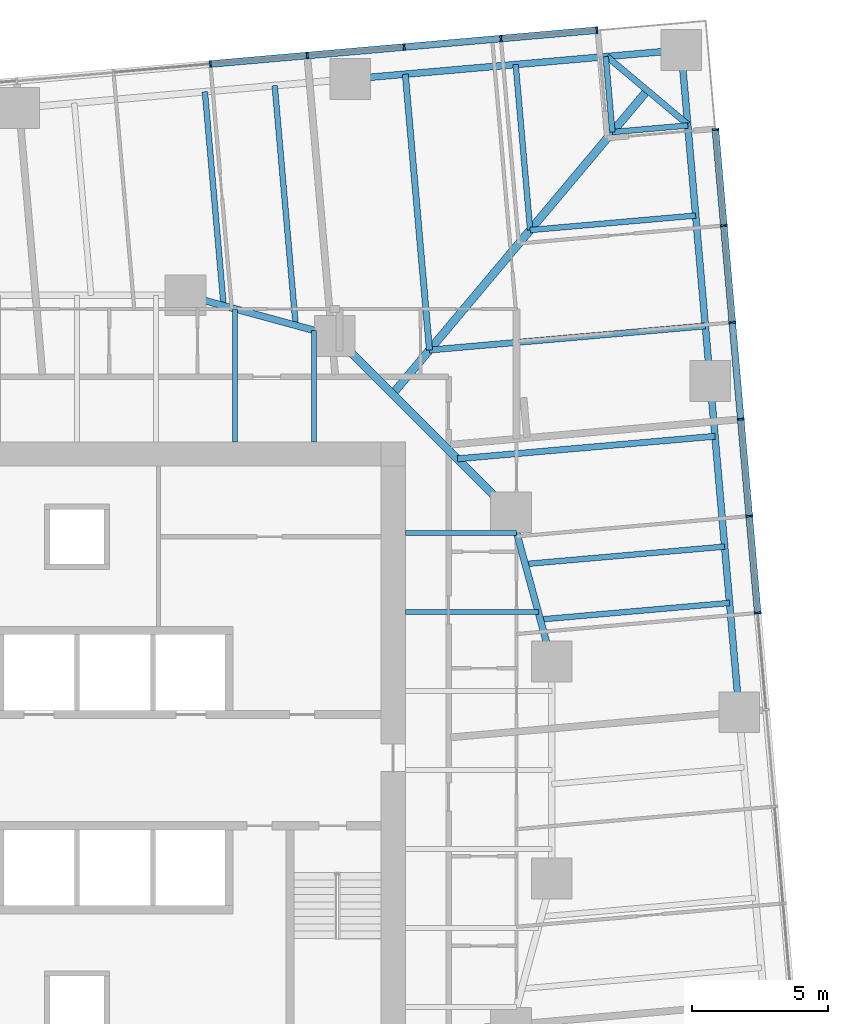
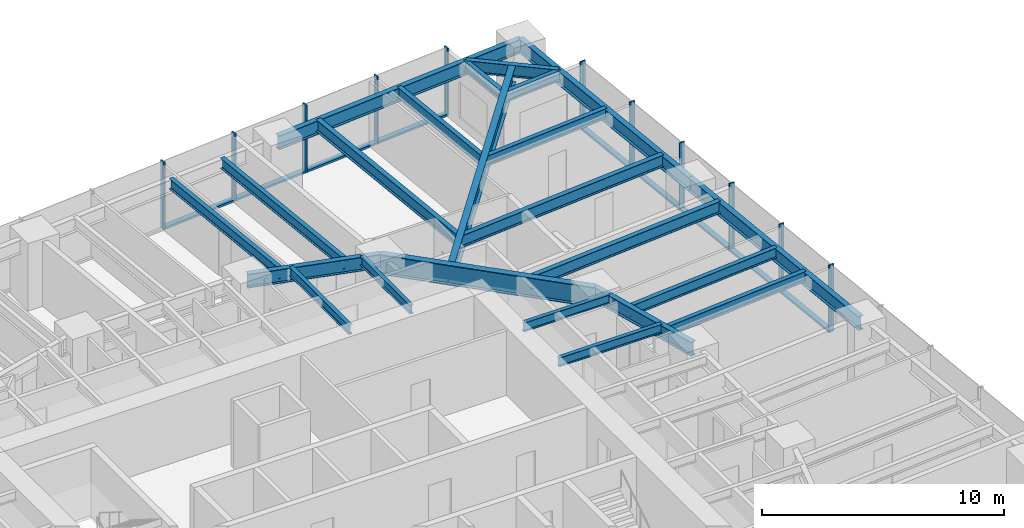
# One storey, part 6 of 14: 23 beams, 20 members, 2 elements without a shape of their own.
"""IFC4 building model written with IfcOpenShell, lengths in metres."""

from ifc_helpers import new_model, si_unit, direction, frame, origin, origin_2d, place, context, subcontext, project, spatial, rectangle, i_section, extrude, material, material_profile, profile_set, type_object, element, aggregate, save


model = new_model("IFC4")

# Units and contexts
model_context = context("Model", 3, precision=1e-05, world=origin(), true_north=direction((0.0, 1.0)))
body_context = subcontext(model_context, "Body", "Model", "MODEL_VIEW")
ifc_project = project(units=[si_unit("LENGTHUNIT", "METRE"), si_unit("AREAUNIT", "SQUARE_METRE"), si_unit("VOLUMEUNIT", "CUBIC_METRE"), si_unit("PLANEANGLEUNIT", "RADIAN"), si_unit("MASSUNIT", "GRAM", prefix="KILO")], contexts=[model_context])

# Site, building, storey
site_placement = place(None, origin())
site = spatial("IfcSite", under=ifc_project, at=site_placement, CompositionType="ELEMENT")
building_placement = place(site_placement, origin())
building = spatial("IfcBuilding", under=site, at=building_placement, Name="Torsade Residences", CompositionType="ELEMENT")
storey_placement = place(building_placement, frame((0.0, 0.0, 60.800048828125)))
storey = spatial("IfcBuildingStorey", under=building, at=storey_placement, Name="L16", CompositionType="ELEMENT", Elevation=60.800048828125)

# Beams
ifc_material_1 = material(Name="Steel grade 300", Category="steel")
ifc_material_profile_1 = material_profile(ifc_material_1, i_section(OverallWidth=0.300048828125, OverallDepth=0.89990234375, WebThickness=0.011962890625, FlangeThickness=0.02490234375, at=origin_2d()), Name="900WB175")
ifc_profile_set_1 = profile_set([ifc_material_profile_1], Name="Steel grade 300")
beam_type_1 = type_object("IfcBeamType", Name="CORNER GIRDER 900WB175", PredefinedType="BEAM", material=ifc_profile_set_1)
beam_1_placement = place(storey_placement, frame((61.021484375, 55.052490234375, 2.800048828125), z_axis=(-0.642785419012, -0.766046281307, 0.0), x_axis=(0.766046281307, -0.642785419012, 0.0)))
element("IfcBeam", 1, at=beam_1_placement, inside=storey, type_object=beam_type_1, Name="Corner girder 09 L17", PredefinedType="BEAM", context=body_context, shape_type="SweptSolid", body=[
    extrude(i_section(OverallWidth=0.300048828125, OverallDepth=0.89990234375, WebThickness=0.011962890625, FlangeThickness=0.02490234375, at=origin_2d()), origin(), (0.0, 0.0, 1.0), 14.603515625),
])
ifc_material_2 = material(Name="Steel grade 300", Category="steel")
ifc_material_profile_2 = material_profile(ifc_material_2, i_section(OverallWidth=0.22802734375, OverallDepth=0.60205078125, WebThickness=0.010498046875, FlangeThickness=0.014892578125, FilletRadius=0.013916015625, at=origin_2d()), Name="610UB101")
ifc_profile_set_2 = profile_set([ifc_material_profile_2], Name="Steel grade 300")
beam_type_2 = type_object("IfcBeamType", Name="CORNER TRIMMER 610UB101", PredefinedType="BEAM", material=ifc_profile_set_2)
beam_2_placement = place(storey_placement, frame((59.531982421875, 56.302490234375, 2.948974609375), z_axis=(0.766030001697, -0.642804819911, 0.0), x_axis=(0.642804819911, 0.766030001697, 0.0)))
element("IfcBeam", 2, at=beam_2_placement, inside=storey, type_object=beam_type_2, Name="Corner trimmer 09 L17", PredefinedType="BEAM", context=body_context, shape_type="SweptSolid", body=[
    extrude(i_section(OverallWidth=0.22802734375, OverallDepth=0.60205078125, WebThickness=0.010498046875, FlangeThickness=0.014892578125, FilletRadius=0.013916015625, at=origin_2d()), origin(), (0.0, 0.0, 1.0), 3.88916015625),
])

# Curtain wall, members
ifc_material_3 = material(Name="Aluminium and glass", Category="aluminium")
curtain_wall_type = type_object("IfcCurtainWallType", Name="FRITTED GLASS CURTAIN WALL LOW ZONE", PredefinedType="NOTDEFINED", material=ifc_material_3)
curtain_wall_1_placement = place(storey_placement, origin())
curtain_wall_1 = element("IfcCurtainWall", 3, at=curtain_wall_1_placement, inside=storey, type_object=curtain_wall_type, Name="Curtain wall L16 face 4", PredefinedType="NOTDEFINED")
ifc_material_4 = material(Name="Aluminium mullion", Category="aluminium")
ifc_material_profile_3 = material_profile(ifc_material_4, rectangle(XDim=0.25, YDim=0.06494140625, at=origin_2d()), Name="CURTAIN WALL MULLION 250x65")
ifc_profile_set_3 = profile_set([ifc_material_profile_3], Name="Aluminium mullion")
member_type_1 = type_object("IfcMemberType", Name="CURTAIN WALL MULLION 250x65", PredefinedType="MULLION", material=ifc_profile_set_3)
member_1_placement = place(storey_placement, frame((65.090576171875, 35.792236328125, 0.0), z_axis=(0.0, 0.0, 1.0), x_axis=(-0.996194697964, -0.087155744208, 0.0)))
member_1 = element("IfcMember", 4, at=member_1_placement, type_object=member_type_1, Name="Mullion 8", PredefinedType="MULLION", context=body_context, shape_type="SweptSolid", body=[
    extrude(rectangle(XDim=0.25, YDim=0.06494140625, at=origin_2d()), origin(), (0.0, 0.0, 1.0), 3.39990234375),
])
member_2_placement = place(storey_placement, frame((64.7783203125, 39.36181640625, 0.0), z_axis=(0.0, 0.0, 1.0), x_axis=(-0.996194697964, -0.087155744208, 0.0)))
member_2 = element("IfcMember", 5, at=member_2_placement, type_object=member_type_1, Name="Mullion 9", PredefinedType="MULLION", context=body_context, shape_type="SweptSolid", body=[
    extrude(rectangle(XDim=0.25, YDim=0.06494140625, at=origin_2d()), origin(), (0.0, 0.0, 1.0), 3.39990234375),
])
member_3_placement = place(storey_placement, frame((64.466064453125, 42.931640625, 0.0), z_axis=(0.0, 0.0, 1.0), x_axis=(-0.996194697964, -0.087155744208, 0.0)))
member_3 = element("IfcMember", 6, at=member_3_placement, type_object=member_type_1, Name="Mullion 10", PredefinedType="MULLION", context=body_context, shape_type="SweptSolid", body=[
    extrude(rectangle(XDim=0.25, YDim=0.06494140625, at=origin_2d()), origin(), (0.0, 0.0, 1.0), 3.39990234375),
])
member_4_placement = place(storey_placement, frame((64.15380859375, 46.501220703125, 0.0), z_axis=(0.0, 0.0, 1.0), x_axis=(-0.996194697964, -0.087155744208, 0.0)))
member_4 = element("IfcMember", 7, at=member_4_placement, type_object=member_type_1, Name="Mullion 11", PredefinedType="MULLION", context=body_context, shape_type="SweptSolid", body=[
    extrude(rectangle(XDim=0.25, YDim=0.06494140625, at=origin_2d()), origin(), (0.0, 0.0, 1.0), 3.39990234375),
])
member_5_placement = place(storey_placement, frame((63.84130859375, 50.071044921875, 0.0), z_axis=(0.0, 0.0, 1.0), x_axis=(-0.996194697964, -0.087155744208, 0.0)))
member_5 = element("IfcMember", 8, at=member_5_placement, type_object=member_type_1, Name="Mullion 12", PredefinedType="MULLION", context=body_context, shape_type="SweptSolid", body=[
    extrude(rectangle(XDim=0.25, YDim=0.06494140625, at=origin_2d()), origin(), (0.0, 0.0, 1.0), 3.39990234375),
])
member_6_placement = place(storey_placement, frame((63.531982421875, 53.6083984375, 0.0), z_axis=(0.0, 0.0, 1.0), x_axis=(-0.996194697964, -0.087155744208, 0.0)))
member_6 = element("IfcMember", 9, at=member_6_placement, type_object=member_type_1, Name="Mullion 13", PredefinedType="MULLION", context=body_context, shape_type="SweptSolid", body=[
    extrude(rectangle(XDim=0.25, YDim=0.06494140625, at=origin_2d()), origin(), (0.0, 0.0, 1.0), 3.39990234375),
])

curtain_wall_2_placement = place(storey_placement, origin())
curtain_wall_2 = element("IfcCurtainWall", 10, at=curtain_wall_2_placement, inside=storey, type_object=curtain_wall_type, Name="Curtain wall L16 face 7", PredefinedType="NOTDEFINED")
member_7_placement = place(storey_placement, frame((59.163330078125, 57.27392578125, 0.0), z_axis=(0.0, 0.0, 1.0), x_axis=(0.087155744208, -0.996194697964, 0.0)))
member_7 = element("IfcMember", 11, at=member_7_placement, type_object=member_type_1, Name="Mullion 1", PredefinedType="MULLION", context=body_context, shape_type="SweptSolid", body=[
    extrude(rectangle(XDim=0.25, YDim=0.06494140625, at=origin_2d()), origin(), (0.0, 0.0, 1.0), 3.39990234375),
])
member_8_placement = place(storey_placement, frame((55.6259765625, 56.964599609375, 0.0), z_axis=(0.0, 0.0, 1.0), x_axis=(0.087155744208, -0.996194697964, 0.0)))
member_8 = element("IfcMember", 12, at=member_8_placement, type_object=member_type_1, Name="Mullion 2", PredefinedType="MULLION", context=body_context, shape_type="SweptSolid", body=[
    extrude(rectangle(XDim=0.25, YDim=0.06494140625, at=origin_2d()), origin(), (0.0, 0.0, 1.0), 3.39990234375),
])
member_9_placement = place(storey_placement, frame((52.056396484375, 56.652099609375, 0.0), z_axis=(0.0, 0.0, 1.0), x_axis=(0.087155744208, -0.996194697964, 0.0)))
member_9 = element("IfcMember", 13, at=member_9_placement, type_object=member_type_1, Name="Mullion 3", PredefinedType="MULLION", context=body_context, shape_type="SweptSolid", body=[
    extrude(rectangle(XDim=0.25, YDim=0.06494140625, at=origin_2d()), origin(), (0.0, 0.0, 1.0), 3.39990234375),
])
member_10_placement = place(storey_placement, frame((48.486572265625, 56.33984375, 0.0), z_axis=(0.0, 0.0, 1.0), x_axis=(0.087155744208, -0.996194697964, 0.0)))
member_10 = element("IfcMember", 14, at=member_10_placement, type_object=member_type_1, Name="Mullion 4", PredefinedType="MULLION", context=body_context, shape_type="SweptSolid", body=[
    extrude(rectangle(XDim=0.25, YDim=0.06494140625, at=origin_2d()), origin(), (0.0, 0.0, 1.0), 3.39990234375),
])
member_11_placement = place(storey_placement, frame((44.9169921875, 56.027587890625, 0.0), z_axis=(0.0, 0.0, 1.0), x_axis=(0.087155744208, -0.996194697964, 0.0)))
member_11 = element("IfcMember", 15, at=member_11_placement, type_object=member_type_1, Name="Mullion 5", PredefinedType="MULLION", context=body_context, shape_type="SweptSolid", body=[
    extrude(rectangle(XDim=0.25, YDim=0.06494140625, at=origin_2d()), origin(), (0.0, 0.0, 1.0), 3.39990234375),
])

# Member
ifc_material_5 = material(Name="Aluminium transom", Category="aluminium")
ifc_material_profile_4 = material_profile(ifc_material_5, rectangle(XDim=0.25, YDim=0.10009765625, at=origin_2d()), Name="CURTAIN WALL TRANSOM 250x100")
ifc_profile_set_4 = profile_set([ifc_material_profile_4], Name="Aluminium transom")
member_type_2 = type_object("IfcMemberType", Name="CURTAIN WALL TRANSOM 250x100", PredefinedType="USERDEFINED", material=ifc_profile_set_4)
member_12_placement = place(storey_placement, frame((65.087890625, 35.824462890625, 0.050048828125), z_axis=(-0.08715059597, 0.996195148363, 0.0), x_axis=(-0.996195148363, -0.08715059597, 0.0)))
member_12 = element("IfcMember", 16, at=member_12_placement, type_object=member_type_2, Name="Transom 8.1", ObjectType="TRANSOM", PredefinedType="USERDEFINED", context=body_context, shape_type="SweptSolid", body=[
    extrude(rectangle(XDim=0.25, YDim=0.10009765625, at=origin_2d()), origin(), (0.0, 0.0, 1.0), 3.5185546875),
])

member_13_placement = place(storey_placement, frame((64.775634765625, 39.394287109375, 0.050048828125), z_axis=(-0.087156620531, 0.996194621295, 0.0), x_axis=(-0.996194621295, -0.087156620531, 0.0)))
member_13 = element("IfcMember", 17, at=member_13_placement, type_object=member_type_2, Name="Transom 9.1", ObjectType="TRANSOM", PredefinedType="USERDEFINED", context=body_context, shape_type="SweptSolid", body=[
    extrude(rectangle(XDim=0.25, YDim=0.10009765625, at=origin_2d()), origin(), (0.0, 0.0, 1.0), 3.518310546875),
])

member_14_placement = place(storey_placement, frame((64.463134765625, 42.9638671875, 0.050048828125), z_axis=(-0.08715059597, 0.996195148363, 0.0), x_axis=(-0.996195148363, -0.08715059597, 0.0)))
member_14 = element("IfcMember", 18, at=member_14_placement, type_object=member_type_2, Name="Transom 10.1", ObjectType="TRANSOM", PredefinedType="USERDEFINED", context=body_context, shape_type="SweptSolid", body=[
    extrude(rectangle(XDim=0.25, YDim=0.10009765625, at=origin_2d()), origin(), (0.0, 0.0, 1.0), 3.5185546875),
])

member_15_placement = place(storey_placement, frame((64.15087890625, 46.53369140625, 0.050048828125), z_axis=(-0.087156620531, 0.996194621295, 0.0), x_axis=(-0.996194621295, -0.087156620531, 0.0)))
member_15 = element("IfcMember", 19, at=member_15_placement, type_object=member_type_2, Name="Transom 11.1", ObjectType="TRANSOM", PredefinedType="USERDEFINED", context=body_context, shape_type="SweptSolid", body=[
    extrude(rectangle(XDim=0.25, YDim=0.10009765625, at=origin_2d()), origin(), (0.0, 0.0, 1.0), 3.518310546875),
])

member_16_placement = place(storey_placement, frame((63.838623046875, 50.103271484375, 0.050048828125), z_axis=(-0.08719475177, 0.996191284475, 0.0), x_axis=(-0.996191284475, -0.08719475177, 0.0)))
member_16 = element("IfcMember", 20, at=member_16_placement, type_object=member_type_2, Name="Transom 12.1", ObjectType="TRANSOM", PredefinedType="USERDEFINED", context=body_context, shape_type="SweptSolid", body=[
    extrude(rectangle(XDim=0.25, YDim=0.10009765625, at=origin_2d()), origin(), (0.0, 0.0, 1.0), 3.48583984375),
])

aggregate(curtain_wall_1, [member_1, member_2, member_3, member_4, member_5, member_6, member_12, member_13, member_14, member_15, member_16])

member_17_placement = place(storey_placement, frame((59.130859375, 57.271240234375, 0.050048828125), z_axis=(-0.996190751941, -0.0872008357, 0.0), x_axis=(0.0872008357, -0.996190751941, 0.0)))
member_17 = element("IfcMember", 21, at=member_17_placement, type_object=member_type_2, Name="Transom 1.1", ObjectType="TRANSOM", PredefinedType="USERDEFINED", context=body_context, shape_type="SweptSolid", body=[
    extrude(rectangle(XDim=0.25, YDim=0.10009765625, at=origin_2d()), origin(), (0.0, 0.0, 1.0), 3.485595703125),
])

member_18_placement = place(storey_placement, frame((55.59375, 56.961669921875, 0.050048828125), z_axis=(-0.996195148363, -0.08715059597, 0.0), x_axis=(0.08715059597, -0.996195148363, 0.0)))
member_18 = element("IfcMember", 22, at=member_18_placement, type_object=member_type_2, Name="Transom 2.1", ObjectType="TRANSOM", PredefinedType="USERDEFINED", context=body_context, shape_type="SweptSolid", body=[
    extrude(rectangle(XDim=0.25, YDim=0.10009765625, at=origin_2d()), origin(), (0.0, 0.0, 1.0), 3.5185546875),
])

member_19_placement = place(storey_placement, frame((52.02392578125, 56.6494140625, 0.050048828125), z_axis=(-0.996194621295, -0.087156620531, 0.0), x_axis=(0.087156620531, -0.996194621295, 0.0)))
member_19 = element("IfcMember", 23, at=member_19_placement, type_object=member_type_2, Name="Transom 3.1", ObjectType="TRANSOM", PredefinedType="USERDEFINED", context=body_context, shape_type="SweptSolid", body=[
    extrude(rectangle(XDim=0.25, YDim=0.10009765625, at=origin_2d()), origin(), (0.0, 0.0, 1.0), 3.518310546875),
])

member_20_placement = place(storey_placement, frame((48.454345703125, 56.337158203125, 0.050048828125), z_axis=(-0.996195148363, -0.08715059597, 0.0), x_axis=(0.08715059597, -0.996195148363, 0.0)))
member_20 = element("IfcMember", 24, at=member_20_placement, type_object=member_type_2, Name="Transom 4.1", ObjectType="TRANSOM", PredefinedType="USERDEFINED", context=body_context, shape_type="SweptSolid", body=[
    extrude(rectangle(XDim=0.25, YDim=0.10009765625, at=origin_2d()), origin(), (0.0, 0.0, 1.0), 3.5185546875),
])

aggregate(curtain_wall_2, [member_7, member_8, member_9, member_10, member_11, member_17, member_18, member_19, member_20])

# Beams
ifc_material_6 = material(Name="Steel grade 300", Category="steel")
ifc_material_profile_5 = material_profile(ifc_material_6, i_section(OverallWidth=0.25, OverallDepth=0.699951171875, WebThickness=0.010009765625, FlangeThickness=0.02001953125, at=origin_2d()), Name="700WB130")
ifc_profile_set_5 = profile_set([ifc_material_profile_5], Name="Steel grade 300")
beam_type_3 = type_object("IfcBeamType", Name="EDGE BEAM 700WB130", PredefinedType="SPANDREL", material=ifc_profile_set_5)
for number, where, z_axis, x_axis, name in (
    (25, (64.40673828125, 32.13525390625, 2.89990234375), (-0.08715335259, 0.996194907201, 0.0), (-0.996194907201, -0.08715335259, 0.0), "Edge beam 07 L17"),
    (26, (63.339111328125, 44.338623046875, 2.89990234375), (-0.08715335259, 0.996194907201, 0.0), (-0.996194907201, -0.08715335259, 0.0), "Edge beam 08 L17"),
    (27, (62.271484375, 56.5419921875, 2.89990234375), (-0.996194907201, -0.08715335259, 0.0), (0.08715335259, -0.996194907201, 0.0), "Edge beam 09 L17"),
):
    element("IfcBeam", number, at=place(storey_placement, frame(where, z_axis=z_axis, x_axis=x_axis)), inside=storey, type_object=beam_type_3, Name=name, PredefinedType="SPANDREL", context=body_context, shape_type="SweptSolid", body=[
        extrude(i_section(OverallWidth=0.25, OverallDepth=0.699951171875, WebThickness=0.010009765625, FlangeThickness=0.02001953125, at=origin_2d()), origin(), (0.0, 0.0, 1.0), 12.25),
    ])
ifc_material_7 = material(Name="Steel grade 300", Category="steel")
ifc_material_profile_6 = material_profile(ifc_material_7, i_section(OverallWidth=0.18994140625, OverallDepth=0.4541015625, WebThickness=0.008544921875, FlangeThickness=0.0126953125, FilletRadius=0.011474609375, at=origin_2d()), Name="460UB67.1")
ifc_profile_set_6 = profile_set([ifc_material_profile_6], Name="Steel grade 300")
beam_type_4 = type_object("IfcBeamType", Name="INNER FLOOR BEAM 460UB67.1", PredefinedType="JOIST", material=ifc_profile_set_6)
beam_3_placement = place(storey_placement, frame((45.824951171875, 42.10009765625, 3.02294921875), z_axis=(0.0, 1.0, 0.0), x_axis=(-1.0, 0.0, 0.0)))
element("IfcBeam", 28, at=beam_3_placement, inside=storey, type_object=beam_type_4, Name="Inner floor beam IN06 L17", PredefinedType="JOIST", context=body_context, shape_type="SweptSolid", body=[
    extrude(i_section(OverallWidth=0.18994140625, OverallDepth=0.4541015625, WebThickness=0.008544921875, FlangeThickness=0.0126953125, FilletRadius=0.011474609375, at=origin_2d()), origin(), (0.0, 0.0, 1.0), 4.902099609375),
])
beam_4_placement = place(storey_placement, frame((48.737548828125, 42.10009765625, 3.02294921875), z_axis=(0.0, 1.0, 0.0), x_axis=(-1.0, 0.0, 0.0)))
element("IfcBeam", 29, at=beam_4_placement, inside=storey, type_object=beam_type_4, Name="Inner floor beam IN07 L17", PredefinedType="JOIST", context=body_context, shape_type="SweptSolid", body=[
    extrude(i_section(OverallWidth=0.18994140625, OverallDepth=0.4541015625, WebThickness=0.008544921875, FlangeThickness=0.0126953125, FilletRadius=0.011474609375, at=origin_2d()), origin(), (0.0, 0.0, 1.0), 4.10791015625),
])
beam_5_placement = place(storey_placement, frame((52.10009765625, 35.824951171875, 3.02294921875), z_axis=(1.0, 0.0, 0.0), x_axis=(0.0, 1.0, 0.0)))
element("IfcBeam", 30, at=beam_5_placement, inside=storey, type_object=beam_type_4, Name="Inner floor beam IE06 L17", PredefinedType="JOIST", context=body_context, shape_type="SweptSolid", body=[
    extrude(i_section(OverallWidth=0.18994140625, OverallDepth=0.4541015625, WebThickness=0.008544921875, FlangeThickness=0.0126953125, FilletRadius=0.011474609375, at=origin_2d()), origin(), (0.0, 0.0, 1.0), 4.902099609375),
])
beam_6_placement = place(storey_placement, frame((52.10009765625, 38.737548828125, 3.02294921875), z_axis=(1.0, 0.0, 0.0), x_axis=(0.0, 1.0, 0.0)))
element("IfcBeam", 31, at=beam_6_placement, inside=storey, type_object=beam_type_4, Name="Inner floor beam IE07 L17", PredefinedType="JOIST", context=body_context, shape_type="SweptSolid", body=[
    extrude(i_section(OverallWidth=0.18994140625, OverallDepth=0.4541015625, WebThickness=0.008544921875, FlangeThickness=0.0126953125, FilletRadius=0.011474609375, at=origin_2d()), origin(), (0.0, 0.0, 1.0), 4.10791015625),
])
ifc_material_8 = material(Name="Steel grade 300", Category="steel")
ifc_material_profile_7 = material_profile(ifc_material_8, i_section(OverallWidth=0.300048828125, OverallDepth=1.0, WebThickness=0.01611328125, FlangeThickness=0.028076171875, at=origin_2d()), Name="1000WB215")
ifc_profile_set_7 = profile_set([ifc_material_profile_7], Name="Steel grade 300")
beam_type_5 = type_object("IfcBeamType", Name="RING CORNER GIRDER 1000WB215", PredefinedType="BEAM", material=ifc_profile_set_7)
beam_7_placement = place(storey_placement, frame((56.0, 39.5, 2.75), z_axis=(-0.707106781187, 0.707106781187, 0.0), x_axis=(-0.707106781187, -0.707106781187, 0.0)))
element("IfcBeam", 32, at=beam_7_placement, inside=storey, type_object=beam_type_5, Name="Ring girder IR03 L17", PredefinedType="BEAM", context=body_context, shape_type="SweptSolid", body=[
    extrude(i_section(OverallWidth=0.300048828125, OverallDepth=1.0, WebThickness=0.01611328125, FlangeThickness=0.028076171875, at=origin_2d()), origin(), (0.0, 0.0, 1.0), 9.1923828125),
])
ifc_material_9 = material(Name="Steel grade 300", Category="steel")
ifc_material_profile_8 = material_profile(ifc_material_9, i_section(OverallWidth=0.25, OverallDepth=0.699951171875, WebThickness=0.010009765625, FlangeThickness=0.02001953125, at=origin_2d()), Name="700WB130")
ifc_profile_set_8 = profile_set([ifc_material_profile_8], Name="Steel grade 300")
beam_type_6 = type_object("IfcBeamType", Name="RING GIRDER 700WB130", PredefinedType="BEAM", material=ifc_profile_set_8)
for number, where, z_axis, x_axis, name in (
    (33, (57.5, 34.0, 2.89990234375), (-0.263117405792, 0.964763821238, 0.0), (-0.964763821238, -0.263117405792, 0.0), "Ring girder IR02 L17"),
    (34, (49.5, 46.0, 2.89990234375), (-0.964763821238, 0.263117405792, 0.0), (-0.263117405792, -0.964763821238, 0.0), "Ring girder IR04 L17"),
):
    element("IfcBeam", number, at=place(storey_placement, frame(where, z_axis=z_axis, x_axis=x_axis)), inside=storey, type_object=beam_type_6, Name=name, PredefinedType="BEAM", context=body_context, shape_type="SweptSolid", body=[
        extrude(i_section(OverallWidth=0.25, OverallDepth=0.699951171875, WebThickness=0.010009765625, FlangeThickness=0.02001953125, at=origin_2d()), origin(), (0.0, 0.0, 1.0), 5.700927734375),
    ])
ifc_material_10 = material(Name="Steel grade 300", Category="steel")
ifc_material_profile_9 = material_profile(ifc_material_10, i_section(OverallWidth=0.208984375, OverallDepth=0.528076171875, WebThickness=0.009521484375, FlangeThickness=0.01318359375, FilletRadius=0.013916015625, at=origin_2d()), Name="530UB82.0")
ifc_profile_set_9 = profile_set([ifc_material_profile_9], Name="Steel grade 300")
beam_type_7 = type_object("IfcBeamType", Name="SECONDARY BEAM 530UB82.0", PredefinedType="JOIST", material=ifc_profile_set_9)
beam_8_placement = place(storey_placement, frame((64.054443359375, 36.16162109375, 2.98583984375), z_axis=(-0.99619296077, -0.087175598142, 0.0), x_axis=(0.087175598142, -0.99619296077, 0.0)))
element("IfcBeam", 35, at=beam_8_placement, inside=storey, type_object=beam_type_7, Name="Floor beam FE07 L17", PredefinedType="JOIST", context=body_context, shape_type="SweptSolid", body=[
    extrude(i_section(OverallWidth=0.208984375, OverallDepth=0.528076171875, WebThickness=0.009521484375, FlangeThickness=0.01318359375, FilletRadius=0.013916015625, at=origin_2d()), origin(), (0.0, 0.0, 1.0), 7.004150390625),
])
beam_9_placement = place(storey_placement, frame((63.873046875, 38.237060546875, 2.98583984375), z_axis=(-0.996194650902, -0.087156282128, 0.0), x_axis=(0.087156282128, -0.996194650902, 0.0)))
element("IfcBeam", 36, at=beam_9_placement, inside=storey, type_object=beam_type_7, Name="Floor beam FE08 L17", PredefinedType="JOIST", context=body_context, shape_type="SweptSolid", body=[
    extrude(i_section(OverallWidth=0.208984375, OverallDepth=0.528076171875, WebThickness=0.009521484375, FlangeThickness=0.01318359375, FilletRadius=0.013916015625, at=origin_2d()), origin(), (0.0, 0.0, 1.0), 7.381103515625),
])
beam_10_placement = place(storey_placement, frame((62.80517578125, 50.4404296875, 2.98583984375), z_axis=(-0.996193025206, -0.087174861801, 0.0), x_axis=(0.087174861801, -0.996193025206, 0.0)))
element("IfcBeam", 37, at=beam_10_placement, inside=storey, type_object=beam_type_7, Name="Floor beam FE11 L17", PredefinedType="JOIST", context=body_context, shape_type="SweptSolid", body=[
    extrude(i_section(OverallWidth=0.208984375, OverallDepth=0.528076171875, WebThickness=0.009521484375, FlangeThickness=0.01318359375, FilletRadius=0.013916015625, at=origin_2d()), origin(), (0.0, 0.0, 1.0), 6.125),
])
for number, where, z_axis, x_axis, name in (
    (38, (62.5146484375, 53.760986328125, 2.98583984375), (-0.996199126418, -0.087105111923, 0.0), (0.087105111923, -0.996199126418, 0.0), "Floor beam FE12 L17"),
    (39, (59.490478515625, 56.298828125, 2.98583984375), (0.087105111923, -0.996199126418, 0.0), (0.996199126418, 0.087105111923, 0.0), "Floor beam FN01 L17"),
):
    element("IfcBeam", number, at=place(storey_placement, frame(where, z_axis=z_axis, x_axis=x_axis)), inside=storey, type_object=beam_type_7, Name=name, PredefinedType="JOIST", context=body_context, shape_type="SweptSolid", body=[
        extrude(i_section(OverallWidth=0.208984375, OverallDepth=0.528076171875, WebThickness=0.009521484375, FlangeThickness=0.01318359375, FilletRadius=0.013916015625, at=origin_2d()), origin(), (0.0, 0.0, 1.0), 2.79150390625),
    ])
beam_11_placement = place(storey_placement, frame((56.169677734375, 56.00830078125, 2.98583984375), z_axis=(0.087171400335, -0.996193328106, 0.0), x_axis=(0.996193328106, 0.087171400335, 0.0)))
element("IfcBeam", 40, at=beam_11_placement, inside=storey, type_object=beam_type_7, Name="Floor beam FN02 L17", PredefinedType="JOIST", context=body_context, shape_type="SweptSolid", body=[
    extrude(i_section(OverallWidth=0.208984375, OverallDepth=0.528076171875, WebThickness=0.009521484375, FlangeThickness=0.01318359375, FilletRadius=0.013916015625, at=origin_2d()), origin(), (0.0, 0.0, 1.0), 6.125244140625),
])
beam_12_placement = place(storey_placement, frame((47.287109375, 55.231201171875, 2.98583984375), z_axis=(0.08714612802, -0.996195539225, 0.0), x_axis=(0.996195539225, 0.08714612802, 0.0)))
element("IfcBeam", 41, at=beam_12_placement, inside=storey, type_object=beam_type_7, Name="Floor beam FN04 L17", PredefinedType="JOIST", context=body_context, shape_type="SweptSolid", body=[
    extrude(i_section(OverallWidth=0.208984375, OverallDepth=0.528076171875, WebThickness=0.009521484375, FlangeThickness=0.01318359375, FilletRadius=0.013916015625, at=origin_2d()), origin(), (0.0, 0.0, 1.0), 8.872314453125),
])
beam_13_placement = place(storey_placement, frame((44.713623046875, 55.005859375, 2.98583984375), z_axis=(0.087157771408, -0.996194520605, 0.0), x_axis=(0.996194520605, 0.087157771408, 0.0)))
element("IfcBeam", 42, at=beam_13_placement, inside=storey, type_object=beam_type_7, Name="Floor beam FN05 L17", PredefinedType="JOIST", context=body_context, shape_type="SweptSolid", body=[
    extrude(i_section(OverallWidth=0.208984375, OverallDepth=0.528076171875, WebThickness=0.009521484375, FlangeThickness=0.01318359375, FilletRadius=0.013916015625, at=origin_2d()), origin(), (0.0, 0.0, 1.0), 7.918701171875),
])
ifc_material_11 = material(Name="Steel grade 300", Category="steel")
ifc_material_profile_10 = material_profile(ifc_material_11, i_section(OverallWidth=0.22900390625, OverallDepth=0.612060546875, WebThickness=0.011962890625, FlangeThickness=0.01953125, FilletRadius=0.013916015625, at=origin_2d()), Name="610UB125")
ifc_profile_set_10 = profile_set([ifc_material_profile_10], Name="Steel grade 300")
beam_type_8 = type_object("IfcBeamType", Name="SECONDARY BEAM 610UB125", PredefinedType="JOIST", material=ifc_profile_set_10)
beam_14_placement = place(storey_placement, frame((63.51708984375, 42.3046875, 2.94384765625), z_axis=(-0.996195358323, -0.087148195942, 0.0), x_axis=(0.087148195942, -0.996195358323, 0.0)))
element("IfcBeam", 43, at=beam_14_placement, inside=storey, type_object=beam_type_8, Name="Floor beam FE09 L17", PredefinedType="JOIST", context=body_context, shape_type="SweptSolid", body=[
    extrude(i_section(OverallWidth=0.22900390625, OverallDepth=0.612060546875, WebThickness=0.011962890625, FlangeThickness=0.01953125, FilletRadius=0.013916015625, at=origin_2d()), origin(), (0.0, 0.0, 1.0), 9.527587890625),
])
for number, where, z_axis, x_axis, name in (
    (44, (63.1611328125, 46.37255859375, 2.94384765625), (-0.996195222988, -0.087149742944, 0.0), (0.087149742944, -0.996195222988, 0.0), "Floor beam FE10 L17"),
    (45, (52.10205078125, 55.65234375, 2.94384765625), (0.087149742944, -0.996195222988, 0.0), (0.996195222988, 0.087149742944, 0.0), "Floor beam FN03 L17"),
):
    element("IfcBeam", number, at=place(storey_placement, frame(where, z_axis=z_axis, x_axis=x_axis)), inside=storey, type_object=beam_type_8, Name=name, PredefinedType="JOIST", context=body_context, shape_type="SweptSolid", body=[
        extrude(i_section(OverallWidth=0.22900390625, OverallDepth=0.612060546875, WebThickness=0.011962890625, FlangeThickness=0.01953125, FilletRadius=0.013916015625, at=origin_2d()), origin(), (0.0, 0.0, 1.0), 10.208251953125),
    ])

save(model, "model.ifc")
